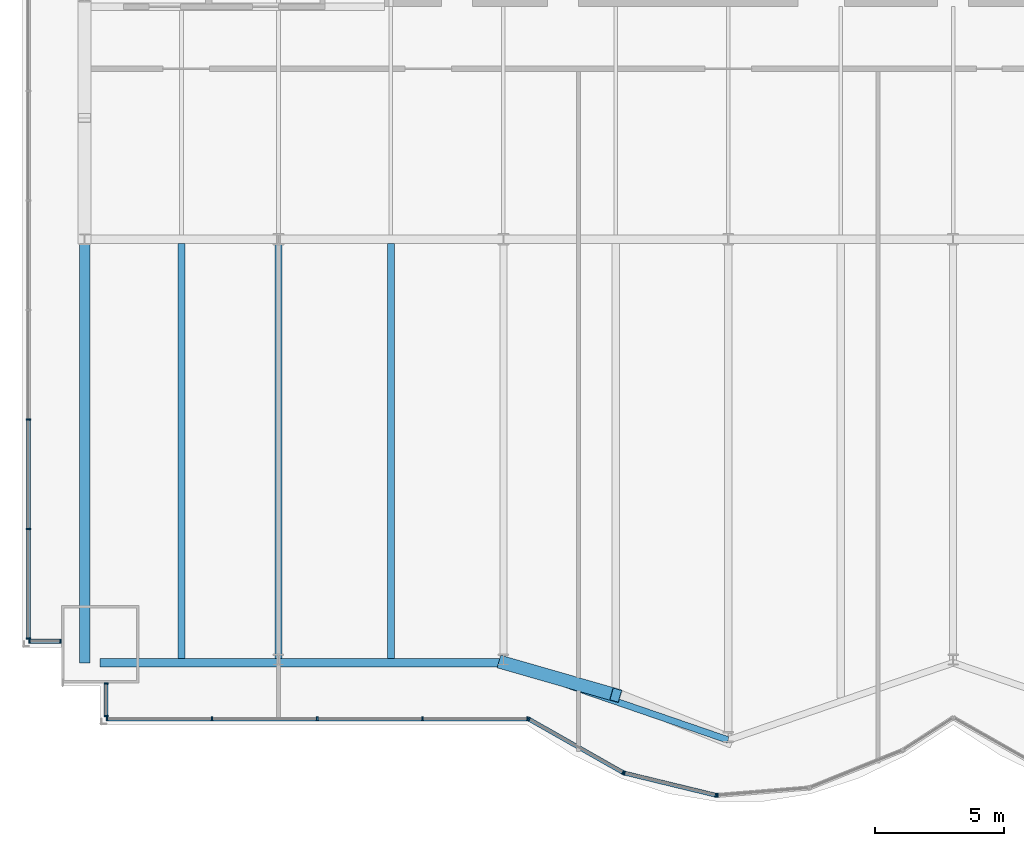
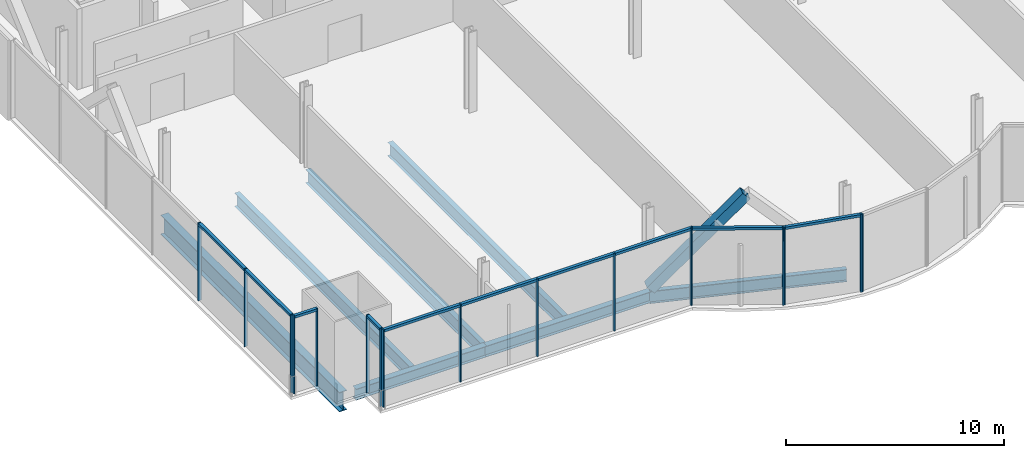
# One storey, part 4 of 21: 28 members, 7 beams, 5 elements without a shape of their own.
"""IFC4 building model written with IfcOpenShell, lengths in metres."""

import ifcopenshell
import ifcopenshell.guid

model = None  # the IFC model being written
_history = None  # IfcOwnerHistory: only IFC2X3 demands one
_inside = {}  # id of a spatial element -> (the spatial element, [elements in it])
_under = {}  # id of a project, library or spatial element -> (it, [spatial elements below it])
_declared = {}  # id of a project -> (the project, [libraries it declares])
_typed = {}  # id of a type object -> (the type object, [elements of that type])
_made_of = {}  # id of a material, layer set ... -> (it, [elements and type objects made of it])


def new_model(schema):
    """Start an empty IFC model of exactly this schema.

    Asked for "IFC4X3", IfcOpenShell would pick the latest addendum, in which some entities
    have other attributes; the version numbers below select the first issue.
    IFC2X3 requires an IfcOwnerHistory on every rooted entity: one is made here for all.
    """
    global model, _history
    if schema == "IFC4X3":
        model = ifcopenshell.file(schema_version=(4, 3, 0, 0))
    else:
        model = ifcopenshell.file(schema=schema)
    _inside.clear()
    _under.clear()
    _declared.clear()
    _typed.clear()
    _made_of.clear()
    _history = None
    if model.schema == "IFC2X3":
        org = make("IfcOrganization", Name="unknown")
        user = make(
            "IfcPersonAndOrganization",
            ThePerson=make("IfcPerson", FamilyName="unknown"),
            TheOrganization=org,
        )
        app = make(
            "IfcApplication",
            ApplicationDeveloper=org,
            Version="unknown",
            ApplicationFullName="unknown",
            ApplicationIdentifier="unknown",
        )
        _history = make(
            "IfcOwnerHistory",
            OwningUser=user,
            OwningApplication=app,
            ChangeAction="ADDED",
            CreationDate=0,
        )
    return model


def make(cls, **values):
    """One entity of the class cls with the attributes given. An attribute that is None is left unset."""
    return model.create_entity(
        cls, **{name: value for name, value in values.items() if value is not None}
    )


def rooted(cls, **values):
    """An entity with a GlobalId (a new one), such as an element, a storey or a relation."""
    return make(cls, GlobalId=ifcopenshell.guid.new(), OwnerHistory=_history, **values)


def si_unit(unit_type, name, prefix=None):
    """IfcSIUnit, for example si_unit("LENGTHUNIT", "METRE", prefix="MILLI")."""
    return make("IfcSIUnit", UnitType=unit_type, Prefix=prefix, Name=name)


def assignment(units):
    """IfcUnitAssignment: the units of a project."""
    return None if units is None else make("IfcUnitAssignment", Units=units)


def point(xyz):
    """IfcCartesianPoint."""
    return None if xyz is None else make("IfcCartesianPoint", Coordinates=xyz)


def direction(xyz):
    """IfcDirection."""
    return None if xyz is None else make("IfcDirection", DirectionRatios=xyz)


def frame(location, z_axis=None, x_axis=None):
    """IfcAxis2Placement3D, a coordinate frame: its origin and axes. An axis left out is left unset."""
    return make(
        "IfcAxis2Placement3D",
        Location=point(location),
        Axis=direction(z_axis),
        RefDirection=direction(x_axis),
    )


def frame_2d(location, x_axis=None):
    """IfcAxis2Placement2D, a coordinate frame in the plane: its origin and x axis."""
    return make(
        "IfcAxis2Placement2D", Location=point(location), RefDirection=direction(x_axis)
    )


def origin():
    """The frame at (0, 0, 0) with its axes left unset."""
    return frame((0.0, 0.0, 0.0))


def origin_2d():
    """The frame at (0, 0) in the plane with its x axis left unset."""
    return frame_2d((0.0, 0.0))


def place(relative_to, where):
    """IfcLocalPlacement: puts the frame where relative to a parent placement (None: the world)."""
    return make(
        "IfcLocalPlacement", PlacementRelTo=relative_to, RelativePlacement=where
    )


def context(
    kind, dimensions, precision=None, world=None, true_north=None, identifier=None
):
    """IfcGeometricRepresentationContext, for example the 3D "Model" context."""
    return make(
        "IfcGeometricRepresentationContext",
        ContextIdentifier=identifier,
        ContextType=kind,
        CoordinateSpaceDimension=dimensions,
        Precision=precision,
        WorldCoordinateSystem=world,
        TrueNorth=true_north,
    )


def subcontext(parent, identifier, kind, view, scale=None):
    """IfcGeometricRepresentationSubContext, for example "Body" below "Model"."""
    return make(
        "IfcGeometricRepresentationSubContext",
        ContextIdentifier=identifier,
        ContextType=kind,
        ParentContext=parent,
        TargetScale=scale,
        TargetView=view,
    )


def project(units=None, contexts=None):
    """IfcProject with its units and contexts."""
    return rooted(
        "IfcProject",
        Name="project",
        RepresentationContexts=contexts,
        UnitsInContext=assignment(units),
    )


def spatial(cls, under=None, at=None, **own):
    """A site, building, storey or space (cls), placed at a placement, below another one or the project."""
    s = rooted(cls, ObjectPlacement=at, **own)
    if under is not None:
        _under.setdefault(under.id(), (under, []))[1].append(s)
    return s


def profile(cls, at=None, kind="AREA", **sizes):
    """A parametric profile (cls). Its sizes go by their IFC names, for example OverallWidth=200.0."""
    return make(cls, ProfileType=kind, Position=at, **sizes)


def rectangle(**sizes):
    """IfcRectangleProfileDef."""
    return profile("IfcRectangleProfileDef", **sizes)


def hollow_rectangle(**sizes):
    """IfcRectangleHollowProfileDef."""
    return profile("IfcRectangleHollowProfileDef", **sizes)


def i_section(**sizes):
    """IfcIShapeProfileDef."""
    return profile("IfcIShapeProfileDef", **sizes)


def extrude(swept, where, along, depth):
    """IfcExtrudedAreaSolid: the profile swept, set in the frame where, extruded along a direction by depth."""
    return make(
        "IfcExtrudedAreaSolid",
        SweptArea=swept,
        Position=where,
        ExtrudedDirection=direction(along),
        Depth=depth,
    )


def shape(context_of_items, identifier, shape_type, items):
    """IfcShapeRepresentation: the items that make up one representation, for example the "Body"."""
    return make(
        "IfcShapeRepresentation",
        ContextOfItems=context_of_items,
        RepresentationIdentifier=identifier,
        RepresentationType=shape_type,
        Items=items,
    )


def material(Name=None, Category=None):
    """IfcMaterial."""
    return make("IfcMaterial", Name=Name, Category=Category)


def material_profile(
    of_material, cross_section, Name=None, Category=None, Priority=None
):
    """IfcMaterialProfile: a cross section and its material."""
    return make(
        "IfcMaterialProfile",
        Name=Name,
        Material=of_material,
        Profile=cross_section,
        Priority=Priority,
        Category=Category,
    )


def profile_set(profiles, Name=None, composite=None):
    """IfcMaterialProfileSet."""
    return make(
        "IfcMaterialProfileSet",
        Name=Name,
        MaterialProfiles=profiles,
        CompositeProfile=composite,
    )


def made_of(thing, what):
    """Note that an element or type object is made of a material, layer set ...; save() writes the relation."""
    if what is not None:
        _made_of.setdefault(what.id(), (what, []))[1].append(thing)
    return thing


def type_object(cls, material=None, **own):
    """A type object (cls), such as IfcWallType, which elements share."""
    return made_of(rooted(cls, **own), material)


def element(
    cls,
    number,
    at=None,
    inside=None,
    cuts=None,
    type_object=None,
    material=None,
    context=None,
    identifier="Body",
    shape_type=None,
    held_by="IfcProductDefinitionShape",
    body=None,
    shapes=None,
    **own,
):
    """One element of the class cls, such as IfcWall. Its Tag is "e" and its number.

    at: its placement. inside: the storey or other place that contains it. cuts: it is an
    opening in that element (IfcRelVoidsElement). A single representation is given by context,
    identifier, shape_type and body (its items); several are given by shapes. held_by: the class
    of the entity that holds the representations. save() writes the other relations.
    """
    e = rooted(cls, Tag="e%d" % number, ObjectPlacement=at, **own)
    if body is not None:
        shapes = [shape(context, identifier, shape_type, body)]
    if shapes is not None:
        e.Representation = make(held_by, Representations=shapes)
    if inside is not None:
        _inside.setdefault(inside.id(), (inside, []))[1].append(e)
    if cuts is not None:
        rooted(
            "IfcRelVoidsElement", RelatingBuildingElement=cuts, RelatedOpeningElement=e
        )
    if type_object is not None:
        _typed.setdefault(type_object.id(), (type_object, []))[1].append(e)
    return made_of(e, material)


def aggregate(whole, parts):
    """IfcRelAggregates: a whole, such as a stair, and the parts it consists of."""
    return rooted("IfcRelAggregates", RelatingObject=whole, RelatedObjects=parts)


def save(model, path):
    """Write the relations noted so far, then the file.

    IfcRelAggregates (storeys below a building ...), IfcRelContainedInSpatialStructure (elements
    in a storey), IfcRelDefinesByType, IfcRelAssociatesMaterial and IfcRelDeclares: one each for
    every whole, place, type object, material and project.
    """
    for whole, parts in _under.values():
        aggregate(whole, parts)
    for where, things in _inside.values():
        rooted(
            "IfcRelContainedInSpatialStructure",
            RelatedElements=things,
            RelatingStructure=where,
        )
    for kind, things in _typed.values():
        rooted("IfcRelDefinesByType", RelatedObjects=things, RelatingType=kind)
    for what, things in _made_of.values():
        rooted("IfcRelAssociatesMaterial", RelatedObjects=things, RelatingMaterial=what)
    for by, libraries in _declared.values():
        rooted("IfcRelDeclares", RelatingContext=by, RelatedDefinitions=libraries)
    model.write(path)


model = new_model("IFC4")

# Units and contexts
model_context = context("Model", 3, precision=1e-05, world=origin(), true_north=direction((0.0, 1.0)))
body_context = subcontext(model_context, "Body", "Model", "MODEL_VIEW")
ifc_project = project(units=[si_unit("LENGTHUNIT", "METRE"), si_unit("AREAUNIT", "SQUARE_METRE"), si_unit("VOLUMEUNIT", "CUBIC_METRE"), si_unit("PLANEANGLEUNIT", "RADIAN"), si_unit("MASSUNIT", "GRAM", prefix="KILO")], contexts=[model_context])

# Site, building, storey
site_placement = place(None, origin())
site = spatial("IfcSite", under=ifc_project, at=site_placement, CompositionType="ELEMENT")
building_placement = place(site_placement, origin())
building = spatial("IfcBuilding", under=site, at=building_placement, Name="Bicima Exchange Tower", CompositionType="ELEMENT")
storey_placement = place(building_placement, frame((0.0, 0.0, 57.5)))
storey = spatial("IfcBuildingStorey", under=building, at=storey_placement, Name="L11", CompositionType="ELEMENT", Elevation=57.5)

# Curtain wall, members
ifc_material_1 = material(Name="Anodised bronze aluminium", Category="aluminium")
curtain_wall_type_1 = type_object("IfcCurtainWallType", Name="End face glass wall", PredefinedType="NOTDEFINED", material=ifc_material_1)
curtain_wall_1_placement = place(storey_placement, origin())
curtain_wall_1 = element("IfcCurtainWall", 1, at=curtain_wall_1_placement, inside=storey, type_object=curtain_wall_type_1, Name="End face glass wall L11 run 2", PredefinedType="NOTDEFINED")
ifc_material_profile_1 = material_profile(ifc_material_1, rectangle(XDim=0.159912109375, YDim=0.06005859375, at=origin_2d()))
ifc_profile_set_1 = profile_set([ifc_material_profile_1], Name="Anodised bronze aluminium")
member_type_1 = type_object("IfcMemberType", Name="End face glass wall mullion 60 x 160", PredefinedType="MULLION", material=ifc_profile_set_1)
member_1_placement = place(storey_placement, frame((-35.77001953125, -28.969970703125, 0.0), z_axis=(0.0, 0.0, 1.0), x_axis=(1.0, 0.0, 0.0)))
member_1 = element("IfcMember", 2, at=member_1_placement, type_object=member_type_1, Name="End face glass wall mullion 5", PredefinedType="MULLION", context=body_context, shape_type="SweptSolid", body=[
    extrude(rectangle(XDim=0.159912109375, YDim=0.06005859375, at=origin_2d()), origin(), (0.0, 0.0, 1.0), 4.35009765625),
])
member_2_placement = place(storey_placement, frame((-35.77001953125, -33.205078125, 0.0), z_axis=(0.0, 0.0, 1.0), x_axis=(1.0, 0.0, 0.0)))
member_2 = element("IfcMember", 3, at=member_2_placement, type_object=member_type_1, Name="End face glass wall mullion 6", PredefinedType="MULLION", context=body_context, shape_type="SweptSolid", body=[
    extrude(rectangle(XDim=0.159912109375, YDim=0.06005859375, at=origin_2d()), origin(), (0.0, 0.0, 1.0), 4.35009765625),
])
member_3_placement = place(storey_placement, frame((-35.77001953125, -37.43994140625, 0.0), z_axis=(0.0, 0.0, 1.0), x_axis=(1.0, 0.0, 0.0)))
member_3 = element("IfcMember", 4, at=member_3_placement, type_object=member_type_1, Name="End face glass wall mullion 7", PredefinedType="MULLION", context=body_context, shape_type="SweptSolid", body=[
    extrude(rectangle(XDim=0.159912109375, YDim=0.06005859375, at=origin_2d()), origin(), (0.0, 0.0, 1.0), 4.35009765625),
])
ifc_material_profile_2 = material_profile(ifc_material_1, rectangle(XDim=0.159912109375, YDim=0.139892578125, at=origin_2d()))
ifc_profile_set_2 = profile_set([ifc_material_profile_2], Name="Anodised bronze aluminium")
member_type_2 = type_object("IfcMemberType", Name="End face glass wall transom 140 x 160", PredefinedType="USERDEFINED", material=ifc_profile_set_2)
member_4_placement = place(storey_placement, frame((-35.77001953125, -29.0, 4.280029296875), z_axis=(0.0, -1.0, 0.0), x_axis=(1.0, 0.0, 0.0)))
member_4 = element("IfcMember", 5, at=member_4_placement, type_object=member_type_2, Name="End face glass wall transom 5.1", ObjectType="TRANSOM", PredefinedType="USERDEFINED", context=body_context, shape_type="SweptSolid", body=[
    extrude(rectangle(XDim=0.159912109375, YDim=0.139892578125, at=origin_2d()), origin(), (0.0, 0.0, 1.0), 4.175048828125),
])
member_5_placement = place(storey_placement, frame((-35.77001953125, -33.235107421875, 4.280029296875), z_axis=(0.0, -1.0, 0.0), x_axis=(1.0, 0.0, 0.0)))
member_5 = element("IfcMember", 6, at=member_5_placement, type_object=member_type_2, Name="End face glass wall transom 6.1", ObjectType="TRANSOM", PredefinedType="USERDEFINED", context=body_context, shape_type="SweptSolid", body=[
    extrude(rectangle(XDim=0.159912109375, YDim=0.139892578125, at=origin_2d()), origin(), (0.0, 0.0, 1.0), 4.1748046875),
])
aggregate(curtain_wall_1, [member_1, member_2, member_3, member_4, member_5])

# Beams
ifc_material_2 = material(Name="Steel ASTM A992 Gr 50", Category="steel")
ifc_material_profile_3 = material_profile(ifc_material_2, i_section(OverallWidth=0.4013671875, OverallDepth=1.089599609375, WebThickness=0.01806640625, FlangeThickness=0.031005859375, at=origin_2d()))
ifc_profile_set_3 = profile_set([ifc_material_profile_3], Name="Steel ASTM A992 Gr 50")
beam_type_1 = type_object("IfcBeamType", Name="End girder W44x230", PredefinedType="BEAM", material=ifc_profile_set_3)
beam_1_placement = place(storey_placement, frame((-33.60009765625, -22.0, -0.69482421875), z_axis=(0.0, -1.0, 0.0), x_axis=(1.0, 0.0, 0.0)))
element("IfcBeam", 7, at=beam_1_placement, inside=storey, type_object=beam_type_1, Name="End girder", PredefinedType="BEAM", context=body_context, shape_type="SweptSolid", body=[
    extrude(i_section(OverallWidth=0.4013671875, OverallDepth=1.089599609375, WebThickness=0.01806640625, FlangeThickness=0.031005859375, at=origin_2d()), origin(), (0.0, 0.0, 1.0), 16.3798828125),
])
ifc_material_profile_4 = material_profile(ifc_material_2, i_section(OverallWidth=0.2666015625, OverallDepth=0.75439453125, WebThickness=0.01318359375, FlangeThickness=0.01708984375, at=origin_2d()))
ifc_profile_set_4 = profile_set([ifc_material_profile_4], Name="Steel ASTM A992 Gr 50")
beam_type_2 = type_object("IfcBeamType", Name="Floor beam W30x99", PredefinedType="JOIST", material=ifc_profile_set_4)
for number, where, z_axis, x_axis, name in (
    (8, (-29.85009765625, -22.16259765625, -0.527099609375), (0.0, -1.0, 0.0), (1.0, 0.0, 0.0), "Floor beam"),
    (9, (-26.10009765625, -22.16259765625, -0.527099609375), (0.0, -1.0, 0.0), (1.0, 0.0, 0.0), "Floor beam"),
    (10, (-21.75, -22.16259765625, -0.527099609375), (0.0, -1.0, 0.0), (1.0, 0.0, 0.0), "Floor beam"),
):
    element("IfcBeam", number, at=place(storey_placement, frame(where, z_axis=z_axis, x_axis=x_axis)), inside=storey, type_object=beam_type_2, Name=name, PredefinedType="JOIST", context=body_context, shape_type="SweptSolid", body=[
        extrude(i_section(OverallWidth=0.2666015625, OverallDepth=0.75439453125, WebThickness=0.01318359375, FlangeThickness=0.01708984375, at=origin_2d()), origin(), (0.0, 0.0, 1.0), 16.0546875),
    ])
ifc_material_profile_5 = material_profile(ifc_material_2, i_section(OverallWidth=0.3251953125, OverallDepth=0.612060546875, WebThickness=0.0126953125, FlangeThickness=0.01904296875, at=origin_2d()))
ifc_profile_set_5 = profile_set([ifc_material_profile_5], Name="Steel ASTM A992 Gr 50")
beam_type_3 = type_object("IfcBeamType", Name="Front girder W24x104", PredefinedType="BEAM", material=ifc_profile_set_5)
beam_2_placement = place(storey_placement, frame((-33.0, -38.3798828125, -0.4560546875), z_axis=(1.0, 0.0, 0.0), x_axis=(0.0, 1.0, 0.0)))
element("IfcBeam", 11, at=beam_2_placement, inside=storey, type_object=beam_type_3, Name="Front girder", PredefinedType="BEAM", context=body_context, shape_type="SweptSolid", body=[
    extrude(i_section(OverallWidth=0.3251953125, OverallDepth=0.612060546875, WebThickness=0.0126953125, FlangeThickness=0.01904296875, at=origin_2d()), origin(), (0.0, 0.0, 1.0), 6.89990234375),
])
beam_3_placement = place(storey_placement, frame((-26.10009765625, -38.3798828125, -0.4560546875), z_axis=(1.0, 0.0, 0.0), x_axis=(0.0, 1.0, 0.0)))
element("IfcBeam", 12, at=beam_3_placement, inside=storey, type_object=beam_type_3, Name="Front girder", PredefinedType="BEAM", context=body_context, shape_type="SweptSolid", body=[
    extrude(i_section(OverallWidth=0.3251953125, OverallDepth=0.612060546875, WebThickness=0.0126953125, FlangeThickness=0.01904296875, at=origin_2d()), origin(), (0.0, 0.0, 1.0), 8.7001953125),
])
ifc_material_profile_6 = material_profile(ifc_material_2, i_section(OverallWidth=0.256591796875, OverallDepth=0.693359375, WebThickness=0.014404296875, FlangeThickness=0.023681640625, at=origin_2d()))
ifc_profile_set_6 = profile_set([ifc_material_profile_6], Name="Steel ASTM A992 Gr 50")
beam_type_4 = type_object("IfcBeamType", Name="Front girder W27x114", PredefinedType="BEAM", material=ifc_profile_set_6)
beam_4_placement = place(storey_placement, frame((-17.39990234375, -38.3798828125, -0.49658203125), z_axis=(0.945666456746, -0.325138359143, 0.0), x_axis=(0.325138359143, 0.945666456746, 0.0)))
element("IfcBeam", 13, at=beam_4_placement, inside=storey, type_object=beam_type_4, Name="Front girder", PredefinedType="BEAM", context=body_context, shape_type="SweptSolid", body=[
    extrude(i_section(OverallWidth=0.256591796875, OverallDepth=0.693359375, WebThickness=0.014404296875, FlangeThickness=0.023681640625, at=origin_2d()), origin(), (0.0, 0.0, 1.0), 9.19970703125),
])

# Curtain wall, members
curtain_wall_type_2 = type_object("IfcCurtainWallType", Name="Front glass wall", PredefinedType="NOTDEFINED", material=ifc_material_1)
curtain_wall_2_placement = place(storey_placement, origin())
curtain_wall_2 = element("IfcCurtainWall", 14, at=curtain_wall_2_placement, inside=storey, type_object=curtain_wall_type_2, Name="Front glass wall L11 run 3", PredefinedType="NOTDEFINED")
member_type_3 = type_object("IfcMemberType", Name="Front glass wall mullion 60 x 160", PredefinedType="MULLION", material=ifc_profile_set_1)
member_6_placement = place(storey_placement, frame((-35.739990234375, -37.550048828125, 0.0), z_axis=(0.0, 0.0, 1.0), x_axis=(0.0, 1.0, 0.0)))
member_6 = element("IfcMember", 15, at=member_6_placement, type_object=member_type_3, Name="Front glass wall mullion 1", PredefinedType="MULLION", context=body_context, shape_type="SweptSolid", body=[
    extrude(rectangle(XDim=0.159912109375, YDim=0.06005859375, at=origin_2d()), origin(), (0.0, 0.0, 1.0), 4.35009765625),
])
member_7_placement = place(storey_placement, frame((-34.530029296875, -37.550048828125, 0.0), z_axis=(0.0, 0.0, 1.0), x_axis=(0.0, 1.0, 0.0)))
member_7 = element("IfcMember", 16, at=member_7_placement, type_object=member_type_3, Name="Front glass wall mullion 2", PredefinedType="MULLION", context=body_context, shape_type="SweptSolid", body=[
    extrude(rectangle(XDim=0.159912109375, YDim=0.06005859375, at=origin_2d()), origin(), (0.0, 0.0, 1.0), 4.35009765625),
])

curtain_wall_3_placement = place(storey_placement, origin())
curtain_wall_3 = element("IfcCurtainWall", 17, at=curtain_wall_3_placement, inside=storey, type_object=curtain_wall_type_2, Name="Front glass wall L11 run 4", PredefinedType="NOTDEFINED")
member_8_placement = place(storey_placement, frame((-32.77001953125, -39.18798828125, 0.0), z_axis=(0.0, 0.0, 1.0), x_axis=(1.0, 0.0, 0.0)))
member_8 = element("IfcMember", 18, at=member_8_placement, type_object=member_type_3, Name="Front glass wall mullion 1", PredefinedType="MULLION", context=body_context, shape_type="SweptSolid", body=[
    extrude(rectangle(XDim=0.159912109375, YDim=0.06005859375, at=origin_2d()), origin(), (0.0, 0.0, 1.0), 4.35009765625),
])
member_9_placement = place(storey_placement, frame((-32.77001953125, -40.43994140625, 0.0), z_axis=(0.0, 0.0, 1.0), x_axis=(1.0, 0.0, 0.0)))
member_9 = element("IfcMember", 19, at=member_9_placement, type_object=member_type_3, Name="Front glass wall mullion 2", PredefinedType="MULLION", context=body_context, shape_type="SweptSolid", body=[
    extrude(rectangle(XDim=0.159912109375, YDim=0.06005859375, at=origin_2d()), origin(), (0.0, 0.0, 1.0), 4.35009765625),
])

curtain_wall_4_placement = place(storey_placement, origin())
curtain_wall_4 = element("IfcCurtainWall", 20, at=curtain_wall_4_placement, inside=storey, type_object=curtain_wall_type_2, Name="Front glass wall L11 run 5", PredefinedType="NOTDEFINED")
member_10_placement = place(storey_placement, frame((-32.739990234375, -40.550048828125, 0.0), z_axis=(0.0, 0.0, 1.0), x_axis=(0.0, 1.0, 0.0)))
member_10 = element("IfcMember", 21, at=member_10_placement, type_object=member_type_3, Name="Front glass wall mullion 1", PredefinedType="MULLION", context=body_context, shape_type="SweptSolid", body=[
    extrude(rectangle(XDim=0.159912109375, YDim=0.06005859375, at=origin_2d()), origin(), (0.0, 0.0, 1.0), 4.35009765625),
])
member_11_placement = place(storey_placement, frame((-28.67041015625, -40.550048828125, 0.0), z_axis=(0.0, 0.0, 1.0), x_axis=(0.0, 1.0, 0.0)))
member_11 = element("IfcMember", 22, at=member_11_placement, type_object=member_type_3, Name="Front glass wall mullion 2", PredefinedType="MULLION", context=body_context, shape_type="SweptSolid", body=[
    extrude(rectangle(XDim=0.159912109375, YDim=0.06005859375, at=origin_2d()), origin(), (0.0, 0.0, 1.0), 4.35009765625),
])
member_12_placement = place(storey_placement, frame((-24.60107421875, -40.550048828125, 0.0), z_axis=(0.0, 0.0, 1.0), x_axis=(0.0, 1.0, 0.0)))
member_12 = element("IfcMember", 23, at=member_12_placement, type_object=member_type_3, Name="Front glass wall mullion 3", PredefinedType="MULLION", context=body_context, shape_type="SweptSolid", body=[
    extrude(rectangle(XDim=0.159912109375, YDim=0.06005859375, at=origin_2d()), origin(), (0.0, 0.0, 1.0), 4.35009765625),
])
member_13_placement = place(storey_placement, frame((-20.531494140625, -40.550048828125, 0.0), z_axis=(0.0, 0.0, 1.0), x_axis=(0.0, 1.0, 0.0)))
member_13 = element("IfcMember", 24, at=member_13_placement, type_object=member_type_3, Name="Front glass wall mullion 4", PredefinedType="MULLION", context=body_context, shape_type="SweptSolid", body=[
    extrude(rectangle(XDim=0.159912109375, YDim=0.06005859375, at=origin_2d()), origin(), (0.0, 0.0, 1.0), 4.35009765625),
])
member_14_placement = place(storey_placement, frame((-16.462158203125, -40.550048828125, 0.0), z_axis=(0.0, 0.0, 1.0), x_axis=(0.0, 1.0, 0.0)))
member_14 = element("IfcMember", 25, at=member_14_placement, type_object=member_type_3, Name="Front glass wall mullion 5", PredefinedType="MULLION", context=body_context, shape_type="SweptSolid", body=[
    extrude(rectangle(XDim=0.159912109375, YDim=0.06005859375, at=origin_2d()), origin(), (0.0, 0.0, 1.0), 4.35009765625),
])

curtain_wall_5_placement = place(storey_placement, origin())
curtain_wall_5 = element("IfcCurtainWall", 26, at=curtain_wall_5_placement, inside=storey, type_object=curtain_wall_type_2, Name="Front glass wall L11 run 6", PredefinedType="NOTDEFINED")
member_15_placement = place(storey_placement, frame((-16.406005859375, -40.564697265625, 0.0), z_axis=(0.0, 0.0, 1.0), x_axis=(0.493395449343, 0.869805110681, 0.0)))
member_15 = element("IfcMember", 27, at=member_15_placement, type_object=member_type_3, Name="Front glass wall mullion 1", PredefinedType="MULLION", context=body_context, shape_type="SweptSolid", body=[
    extrude(rectangle(XDim=0.159912109375, YDim=0.06005859375, at=origin_2d()), origin(), (0.0, 0.0, 1.0), 4.35009765625),
])
member_16_placement = place(storey_placement, frame((-12.7734375, -42.62548828125, 0.0), z_axis=(0.0, 0.0, 1.0), x_axis=(0.493395449343, 0.869805110681, 0.0)))
member_16 = element("IfcMember", 28, at=member_16_placement, type_object=member_type_3, Name="Front glass wall mullion 2", PredefinedType="MULLION", context=body_context, shape_type="SweptSolid", body=[
    extrude(rectangle(XDim=0.159912109375, YDim=0.06005859375, at=origin_2d()), origin(), (0.0, 0.0, 1.0), 4.35009765625),
])
member_17_placement = place(storey_placement, frame((-12.718017578125, -42.647216796875, 0.0), z_axis=(0.0, 0.0, 1.0), x_axis=(0.235681529503, 0.971830343553, 0.0)))
member_17 = element("IfcMember", 29, at=member_17_placement, type_object=member_type_3, Name="Front glass wall mullion 1", PredefinedType="MULLION", context=body_context, shape_type="SweptSolid", body=[
    extrude(rectangle(XDim=0.159912109375, YDim=0.06005859375, at=origin_2d()), origin(), (0.0, 0.0, 1.0), 4.35009765625),
])
member_18_placement = place(storey_placement, frame((-9.177490234375, -43.505859375, 0.0), z_axis=(0.0, 0.0, 1.0), x_axis=(0.235681529503, 0.971830343553, 0.0)))
member_18 = element("IfcMember", 30, at=member_18_placement, type_object=member_type_3, Name="Front glass wall mullion 2", PredefinedType="MULLION", context=body_context, shape_type="SweptSolid", body=[
    extrude(rectangle(XDim=0.159912109375, YDim=0.06005859375, at=origin_2d()), origin(), (0.0, 0.0, 1.0), 4.35009765625),
])
member_19_placement = place(storey_placement, frame((-9.118408203125, -43.510498046875, 0.0), z_axis=(0.0, 0.0, 1.0), x_axis=(-0.080588612633, 0.99674744821, 0.0)))
member_19 = element("IfcMember", 31, at=member_19_placement, type_object=member_type_3, Name="Front glass wall mullion 1", PredefinedType="MULLION", context=body_context, shape_type="SweptSolid", body=[
    extrude(rectangle(XDim=0.159912109375, YDim=0.06005859375, at=origin_2d()), origin(), (0.0, 0.0, 1.0), 4.35009765625),
])

# Member
member_type_4 = type_object("IfcMemberType", Name="Front glass wall transom 140 x 160", PredefinedType="USERDEFINED", material=ifc_profile_set_2)
member_20_placement = place(storey_placement, frame((-35.7099609375, -37.550048828125, 4.280029296875), z_axis=(1.0, 0.0, 0.0), x_axis=(0.0, 1.0, 0.0)))
member_20 = element("IfcMember", 32, at=member_20_placement, type_object=member_type_4, Name="Front glass wall transom 1.1", ObjectType="TRANSOM", PredefinedType="USERDEFINED", context=body_context, shape_type="SweptSolid", body=[
    extrude(rectangle(XDim=0.159912109375, YDim=0.139892578125, at=origin_2d()), origin(), (0.0, 0.0, 1.0), 1.14990234375),
])

aggregate(curtain_wall_2, [member_6, member_7, member_20])

member_21_placement = place(storey_placement, frame((-32.77001953125, -39.218017578125, 4.280029296875), z_axis=(0.0, -1.0, 0.0), x_axis=(1.0, 0.0, 0.0)))
member_21 = element("IfcMember", 33, at=member_21_placement, type_object=member_type_4, Name="Front glass wall transom 1.1", ObjectType="TRANSOM", PredefinedType="USERDEFINED", context=body_context, shape_type="SweptSolid", body=[
    extrude(rectangle(XDim=0.159912109375, YDim=0.139892578125, at=origin_2d()), origin(), (0.0, 0.0, 1.0), 1.19189453125),
])

aggregate(curtain_wall_3, [member_8, member_9, member_21])

member_22_placement = place(storey_placement, frame((-32.7099609375, -40.550048828125, 4.280029296875), z_axis=(1.0, 0.0, 0.0), x_axis=(0.0, 1.0, 0.0)))
member_22 = element("IfcMember", 34, at=member_22_placement, type_object=member_type_4, Name="Front glass wall transom 1.1", ObjectType="TRANSOM", PredefinedType="USERDEFINED", context=body_context, shape_type="SweptSolid", body=[
    extrude(rectangle(XDim=0.159912109375, YDim=0.139892578125, at=origin_2d()), origin(), (0.0, 0.0, 1.0), 4.009521484375),
])

member_23_placement = place(storey_placement, frame((-28.640380859375, -40.550048828125, 4.280029296875), z_axis=(1.0, 0.0, 0.0), x_axis=(0.0, 1.0, 0.0)))
member_23 = element("IfcMember", 35, at=member_23_placement, type_object=member_type_4, Name="Front glass wall transom 2.1", ObjectType="TRANSOM", PredefinedType="USERDEFINED", context=body_context, shape_type="SweptSolid", body=[
    extrude(rectangle(XDim=0.159912109375, YDim=0.139892578125, at=origin_2d()), origin(), (0.0, 0.0, 1.0), 4.00927734375),
])

member_24_placement = place(storey_placement, frame((-24.571044921875, -40.550048828125, 4.280029296875), z_axis=(1.0, 0.0, 0.0), x_axis=(0.0, 1.0, 0.0)))
member_24 = element("IfcMember", 36, at=member_24_placement, type_object=member_type_4, Name="Front glass wall transom 3.1", ObjectType="TRANSOM", PredefinedType="USERDEFINED", context=body_context, shape_type="SweptSolid", body=[
    extrude(rectangle(XDim=0.159912109375, YDim=0.139892578125, at=origin_2d()), origin(), (0.0, 0.0, 1.0), 4.009521484375),
])

member_25_placement = place(storey_placement, frame((-20.501708984375, -40.550048828125, 4.280029296875), z_axis=(1.0, 0.0, 0.0), x_axis=(0.0, 1.0, 0.0)))
member_25 = element("IfcMember", 37, at=member_25_placement, type_object=member_type_4, Name="Front glass wall transom 4.1", ObjectType="TRANSOM", PredefinedType="USERDEFINED", context=body_context, shape_type="SweptSolid", body=[
    extrude(rectangle(XDim=0.159912109375, YDim=0.139892578125, at=origin_2d()), origin(), (0.0, 0.0, 1.0), 4.009521484375),
])

aggregate(curtain_wall_4, [member_10, member_11, member_12, member_13, member_14, member_22, member_23, member_24, member_25])

member_26_placement = place(storey_placement, frame((-16.3798828125, -40.57958984375, 4.280029296875), z_axis=(0.869797371721, -0.49340909208, 0.0), x_axis=(0.49340909208, 0.869797371721, 0.0)))
member_26 = element("IfcMember", 38, at=member_26_placement, type_object=member_type_4, Name="Front glass wall transom 1.1", ObjectType="TRANSOM", PredefinedType="USERDEFINED", context=body_context, shape_type="SweptSolid", body=[
    extrude(rectangle(XDim=0.159912109375, YDim=0.139892578125, at=origin_2d()), origin(), (0.0, 0.0, 1.0), 4.1162109375),
])

member_27_placement = place(storey_placement, frame((-12.68896484375, -42.654296875, 4.280029296875), z_axis=(0.971833557815, -0.235668275132, 0.0), x_axis=(0.235668275132, 0.971833557815, 0.0)))
member_27 = element("IfcMember", 39, at=member_27_placement, type_object=member_type_4, Name="Front glass wall transom 1.1", ObjectType="TRANSOM", PredefinedType="USERDEFINED", context=body_context, shape_type="SweptSolid", body=[
    extrude(rectangle(XDim=0.159912109375, YDim=0.139892578125, at=origin_2d()), origin(), (0.0, 0.0, 1.0), 3.583251953125),
])

aggregate(curtain_wall_5, [member_15, member_16, member_26, member_17, member_18, member_27, member_19])

ifc_material_3 = material(Name="Steel ASTM A572 Gr 50", Category="steel")
ifc_material_profile_7 = material_profile(ifc_material_3, hollow_rectangle(XDim=0.508056640625, YDim=0.508056640625, WallThickness=0.017822265625, at=origin_2d()))
ifc_profile_set_7 = profile_set([ifc_material_profile_7], Name="Steel ASTM A572 Gr 50")
member_type_5 = type_object("IfcMemberType", Name="Mega brace HSS20x20x3/4", PredefinedType="BRACE", material=ifc_profile_set_7)
member_28_placement = place(storey_placement, frame((-17.39990234375, -38.3798828125, 0.0), z_axis=(0.681513989142, -0.19611170356, 0.705038213384), x_axis=(0.276537209588, 0.961003211084, 0.0)))
element("IfcMember", 40, at=member_28_placement, inside=storey, type_object=member_type_5, Name="Mega brace front", PredefinedType="BRACE", context=body_context, shape_type="SweptSolid", body=[
    extrude(hollow_rectangle(XDim=0.508056640625, YDim=0.508056640625, WallThickness=0.017822265625, at=origin_2d()), origin(), (0.0, 0.0, 1.0), 6.382568359375),
])

save(model, "model.ifc")
